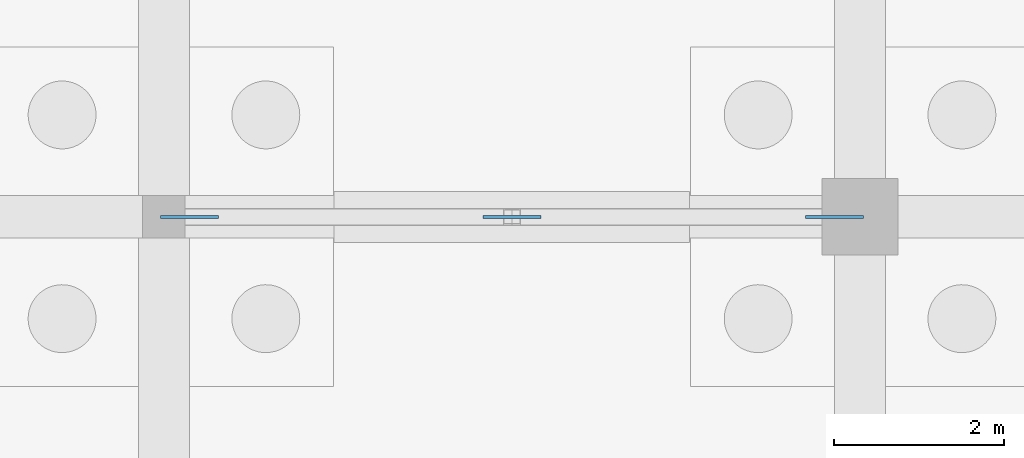
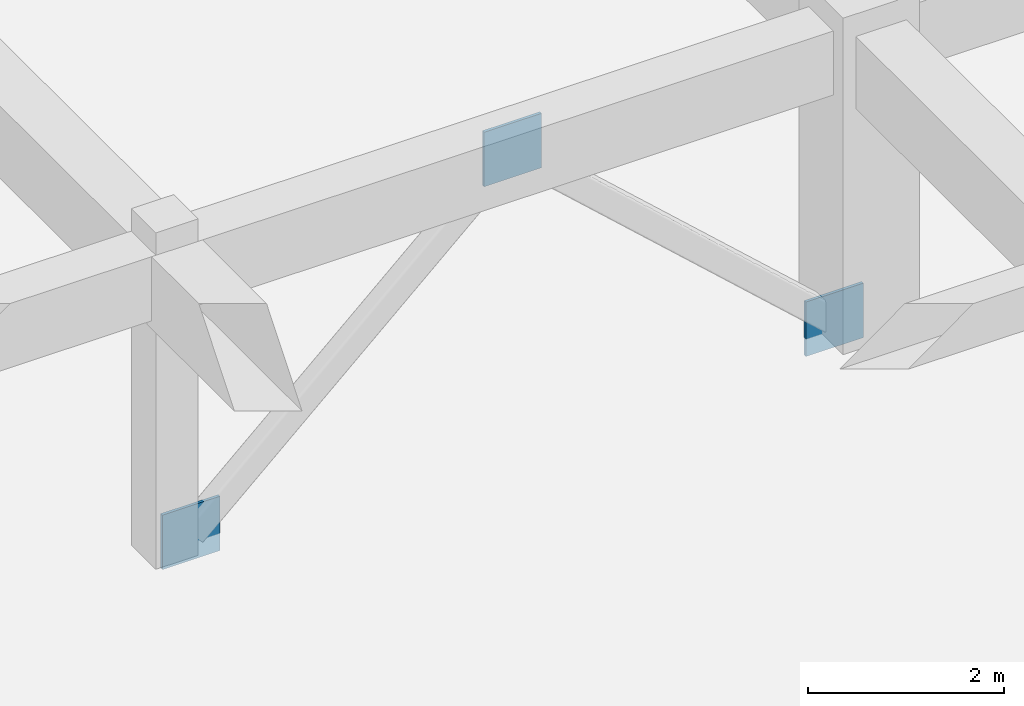
# One storey, part 19 of 36: 3 plates.
"""IFC4 building model written with IfcOpenShell, lengths in metres."""

from ifc_helpers import new_model, si_unit, direction, frame, origin, origin_2d, place, context, subcontext, project, spatial, rectangle, extrude, material, layer, layer_set, type_object, element, save


model = new_model("IFC4")

# Units and contexts
model_context = context("Model", 3, precision=1e-05, world=origin(), true_north=direction((0.0, 1.0)))
body_context = subcontext(model_context, "Body", "Model", "MODEL_VIEW")
ifc_project = project(units=[si_unit("LENGTHUNIT", "METRE"), si_unit("AREAUNIT", "SQUARE_METRE"), si_unit("VOLUMEUNIT", "CUBIC_METRE"), si_unit("PLANEANGLEUNIT", "RADIAN"), si_unit("MASSUNIT", "GRAM", prefix="KILO"), si_unit("THERMODYNAMICTEMPERATUREUNIT", "KELVIN"), si_unit("POWERUNIT", "WATT")], contexts=[model_context])

# Site, building, storey
site_placement = place(None, origin())
site = spatial("IfcSite", under=ifc_project, at=site_placement, CompositionType="ELEMENT")
building_placement = place(site_placement, origin())
building = spatial("IfcBuilding", under=site, at=building_placement, Name="Solvatero Civic Police Headquarters", CompositionType="ELEMENT")
storey_placement = place(building_placement, frame((0.0, 0.0, -8.39990234375)))
storey = spatial("IfcBuildingStorey", under=building, at=storey_placement, Name="B02", CompositionType="ELEMENT", Elevation=-8.39990234375)

# Plates
ifc_material = material(Name="Steel S355", Category="steel")
ifc_layer = layer(ifc_material, 0.034912109375)
ifc_layer_set = layer_set([ifc_layer], Name="Steel S355")
plate_type = type_object("IfcPlateType", Name="PLT-GUS-35", PredefinedType="SHEET", material=ifc_layer_set)
for number, where, z_axis, x_axis, name in (
    (1, (43.89990234375, 100.5, 3.22998046875), (0.0, 0.0, 1.0), (1.0, 0.0, 0.0), "Gusset Plate BR-V7-INT1 APX B02"),
    (2, (40.10009765625, 100.5, -0.22021484375), (0.0, 0.0, 1.0), (1.0, 0.0, 0.0), "Gusset Plate BR-V7-INT1 BSL B02"),
    (3, (47.699951171875, 100.5, -0.22021484375), (0.0, 0.0, 1.0), (1.0, 0.0, 0.0), "Gusset Plate BR-V7-INT1 BSR B02"),
):
    element("IfcPlate", number, at=place(storey_placement, frame(where, z_axis=z_axis, x_axis=x_axis)), inside=storey, type_object=plate_type, Name=name, PredefinedType="SHEET", context=body_context, shape_type="SweptSolid", body=[
        extrude(rectangle(XDim=0.679931640625, YDim=0.034912109375, at=origin_2d()), origin(), (0.0, 0.0, 1.0), 0.679931640625),
    ])

save(model, "model.ifc")
